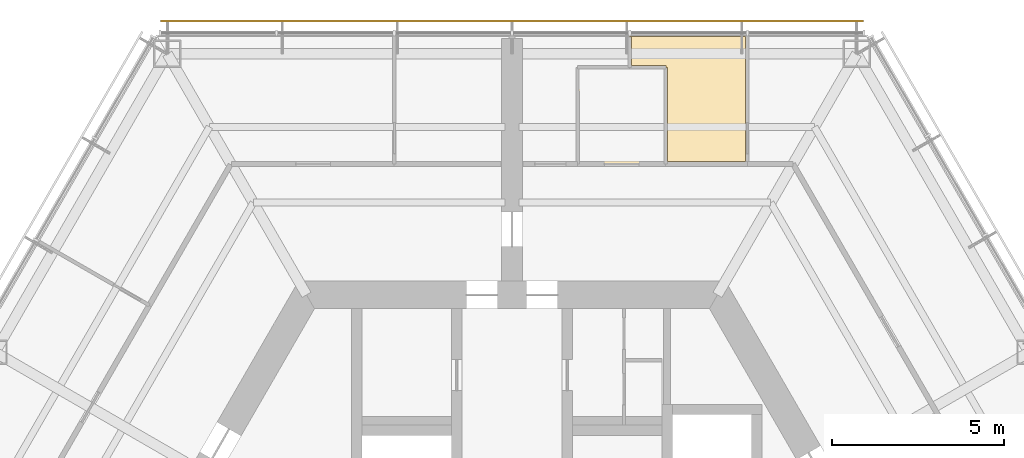
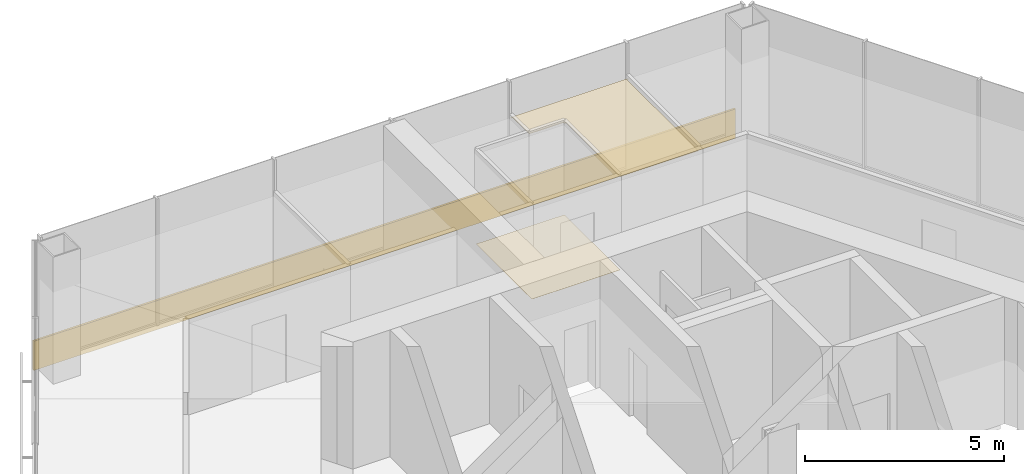
# One storey, part 13 of 13: 2 coverings, 1 shading device.
"""IFC4 building model written with IfcOpenShell, lengths in metres."""

from ifc_helpers import new_model, si_unit, direction, frame, origin, origin_2d, place, context, subcontext, project, spatial, polyline, rectangle, outline, extrude, material, layer, layer_set, type_object, element, save


model = new_model("IFC4")

# Units and contexts
model_context = context("Model", 3, precision=1e-05, world=origin(), true_north=direction((0.0, 1.0)))
body_context = subcontext(model_context, "Body", "Model", "MODEL_VIEW")
ifc_project = project(units=[si_unit("LENGTHUNIT", "METRE"), si_unit("AREAUNIT", "SQUARE_METRE"), si_unit("VOLUMEUNIT", "CUBIC_METRE"), si_unit("PLANEANGLEUNIT", "RADIAN"), si_unit("MASSUNIT", "GRAM", prefix="KILO")], contexts=[model_context])

# Site, building, storey
site_placement = place(None, origin())
site = spatial("IfcSite", under=ifc_project, at=site_placement, CompositionType="ELEMENT")
building_placement = place(site_placement, origin())
building = spatial("IfcBuilding", under=site, at=building_placement, Name="Kasaneha Research Tower", CompositionType="ELEMENT")
storey_placement = place(building_placement, frame((0.0, 0.0, 290.800048828125)))
storey = spatial("IfcBuildingStorey", under=building, at=storey_placement, Name="L73", CompositionType="ELEMENT", Elevation=290.800048828125)

# Covering
ifc_material_1 = material(Name="Gypsum ceiling board", Category="gypsum")
ifc_layer_1 = layer(ifc_material_1, 0.02001953125)
ifc_layer_set_1 = layer_set([ifc_layer_1], Name="Suspended ceiling 20")
covering_type_1 = type_object("IfcCoveringType", Name="Suspended ceiling 20", PredefinedType="CEILING", material=ifc_layer_set_1)
covering_1_placement = place(storey_placement, frame((0.0, 0.0, 2.800048828125)))
element("IfcCovering", 1, at=covering_1_placement, inside=storey, type_object=covering_type_1, Name="Ceiling L73-27", PredefinedType="CEILING", context=body_context, shape_type="SweptSolid", body=[
    extrude(outline(polyline([(6.8310546875, 17.800537109375), (6.781005859375, 17.800537109375), (6.776611328125, 14.199951171875), (4.510009765625, 14.199951171875), (4.514892578125, 16.9248046875), (4.465087890625, 16.925048828125), (4.465087890625, 16.97509765625), (3.47021484375, 16.97509765625), (3.465576171875, 17.80078125), (3.41552734375, 17.800537109375), (3.41552734375, 17.820556640625), (6.8310546875, 17.820556640625), (6.8310546875, 17.800537109375)])), origin(), (0.0, 0.0, 1.0), 0.02001953125),
])

# Shading device
ifc_material_2 = material(Name="Terracotta", Category="masonry")
ifc_layer_2 = layer(ifc_material_2, 0.06005859375)
ifc_layer_set_2 = layer_set([ifc_layer_2], Name="Terracotta baguette screen")
shading_device_type = type_object("IfcShadingDeviceType", Name="Terracotta baguette screen", PredefinedType="USERDEFINED", material=ifc_layer_set_2)
shading_device_placement = place(storey_placement, frame((0.0, 18.2705078125, -0.449951171875), z_axis=(0.0, 0.0, 1.0), x_axis=(-1.0, 0.0, 0.0)))
element("IfcShadingDevice", 2, at=shading_device_placement, inside=storey, type_object=shading_device_type, Name="Baguette screen L73 02", ObjectType="TERRACOTTA BAGUETTE SCREEN", PredefinedType="USERDEFINED", context=body_context, shape_type="SweptSolid", body=[
    extrude(rectangle(XDim=20.392822265625, YDim=0.06005859375, at=origin_2d()), origin(), (0.0, 0.0, 1.0), 0.89990234375),
])

# Covering
ifc_material_3 = material(Name="Vinyl sheet flooring", Category="plastic")
ifc_layer_3 = layer(ifc_material_3, 0.0048828125)
ifc_layer_set_3 = layer_set([ifc_layer_3], Name="Wet room sheet flooring 5")
covering_type_2 = type_object("IfcCoveringType", Name="Wet room sheet flooring 5", PredefinedType="FLOORING", material=ifc_layer_set_3)
covering_2_placement = place(storey_placement, origin())
element("IfcCovering", 3, at=covering_2_placement, inside=storey, type_object=covering_type_2, Name="Floor finish L73-25", PredefinedType="FLOORING", context=body_context, shape_type="SweptSolid", body=[
    extrude(outline(polyline([(1.89990234375, 16.925048828125), (4.465087890625, 16.925048828125), (4.465087890625, 14.125), (1.89990234375, 14.125), (1.89990234375, 16.925048828125)])), origin(), (0.0, 0.0, 1.0), 0.0048828125),
])

save(model, "model.ifc")
